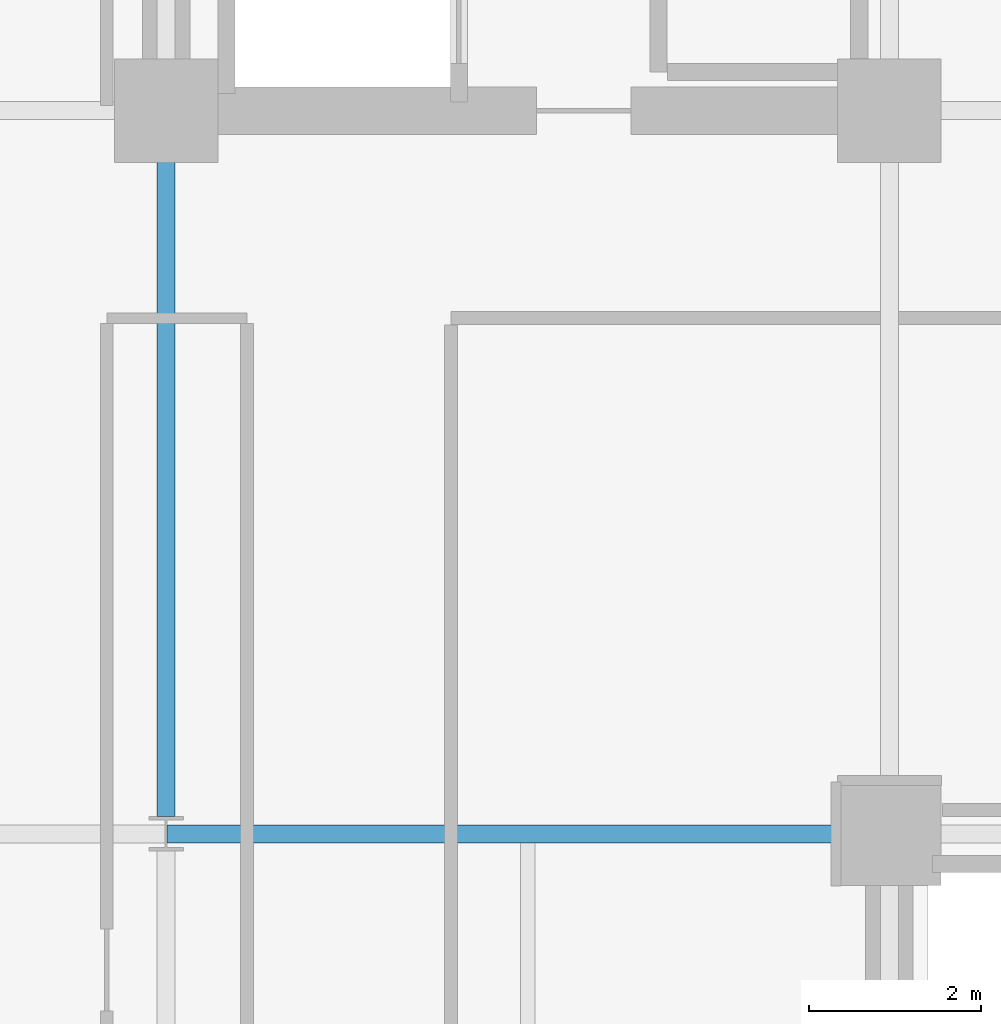
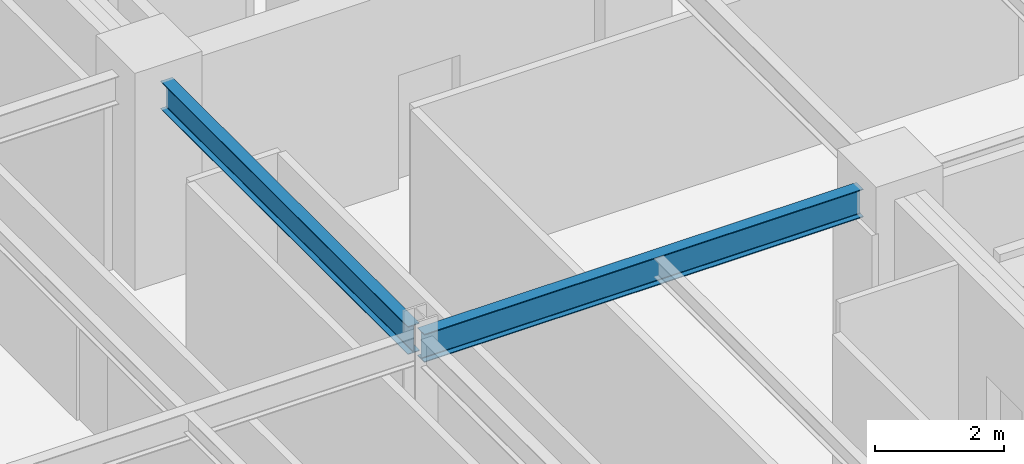
# One storey, part 9 of 29: 2 beams.
"""IFC4 building model written with IfcOpenShell, lengths in metres."""

from ifc_helpers import new_model, si_unit, direction, frame, origin, origin_2d, place, context, subcontext, project, spatial, i_section, extrude, material, material_profile, profile_set, type_object, element, save


model = new_model("IFC4")

# Units and contexts
model_context = context("Model", 3, precision=1e-05, world=origin(), true_north=direction((0.0, 1.0)))
body_context = subcontext(model_context, "Body", "Model", "MODEL_VIEW")
ifc_project = project(units=[si_unit("LENGTHUNIT", "METRE"), si_unit("AREAUNIT", "SQUARE_METRE"), si_unit("VOLUMEUNIT", "CUBIC_METRE"), si_unit("PLANEANGLEUNIT", "RADIAN"), si_unit("MASSUNIT", "GRAM", prefix="KILO")], contexts=[model_context])

# Site, building, storey
site_placement = place(None, origin())
site = spatial("IfcSite", under=ifc_project, at=site_placement, CompositionType="ELEMENT")
building_placement = place(site_placement, origin())
building = spatial("IfcBuilding", under=site, at=building_placement, Name="Nerrivon Quay Data Exchange", CompositionType="ELEMENT")
storey_placement = place(building_placement, frame((0.0, 0.0, 158.199951171875)))
storey = spatial("IfcBuildingStorey", under=building, at=storey_placement, Name="L37", CompositionType="ELEMENT", Elevation=158.199951171875)

# Beams
ifc_material = material(Name="Steel Grade 350", Category="steel")
ifc_material_profile_1 = material_profile(ifc_material, i_section(OverallWidth=0.208984375, OverallDepth=0.532958984375, WebThickness=0.01025390625, FlangeThickness=0.015625, FilletRadius=0.013916015625, at=origin_2d()), Name="530UB92.4")
ifc_profile_set_1 = profile_set([ifc_material_profile_1], Name="Steel Grade 350")
beam_type_1 = type_object("IfcBeamType", Name="BM-G3-530UB92", PredefinedType="BEAM", material=ifc_profile_set_1)
beam_1_placement = place(storey_placement, frame((8.41259765625, 16.800048828125, 3.483642578125), z_axis=(1.0, 0.0, 0.0), x_axis=(0.0, 1.0, 0.0)))
element("IfcBeam", 1, at=beam_1_placement, inside=storey, type_object=beam_type_1, Name="L37 EW Girder Y=16.8 (8.4..16.8)", PredefinedType="BEAM", context=body_context, shape_type="SweptSolid", body=[
    extrude(i_section(OverallWidth=0.208984375, OverallDepth=0.532958984375, WebThickness=0.01025390625, FlangeThickness=0.015625, FilletRadius=0.013916015625, at=origin_2d()), origin(), (0.0, 0.0, 1.0), 7.847412109375),
])
ifc_material_profile_2 = material_profile(ifc_material, i_section(OverallWidth=0.208984375, OverallDepth=0.528076171875, WebThickness=0.009521484375, FlangeThickness=0.01318359375, FilletRadius=0.013916015625, at=origin_2d()), Name="530UB82.0")
ifc_profile_set_2 = profile_set([ifc_material_profile_2], Name="Steel Grade 350")
beam_type_2 = type_object("IfcBeamType", Name="BM-G4-530UB82", PredefinedType="BEAM", material=ifc_profile_set_2)
beam_2_placement = place(storey_placement, frame((8.39990234375, 17.0, 3.486083984375), z_axis=(0.0, 1.0, 0.0), x_axis=(-1.0, 0.0, 0.0)))
element("IfcBeam", 2, at=beam_2_placement, inside=storey, type_object=beam_type_2, Name="L37 NS Girder X=8.4 (16.8..25.2)", PredefinedType="BEAM", context=body_context, shape_type="SweptSolid", body=[
    extrude(i_section(OverallWidth=0.208984375, OverallDepth=0.528076171875, WebThickness=0.009521484375, FlangeThickness=0.01318359375, FilletRadius=0.013916015625, at=origin_2d()), origin(), (0.0, 0.0, 1.0), 7.659912109375),
])

save(model, "model.ifc")
